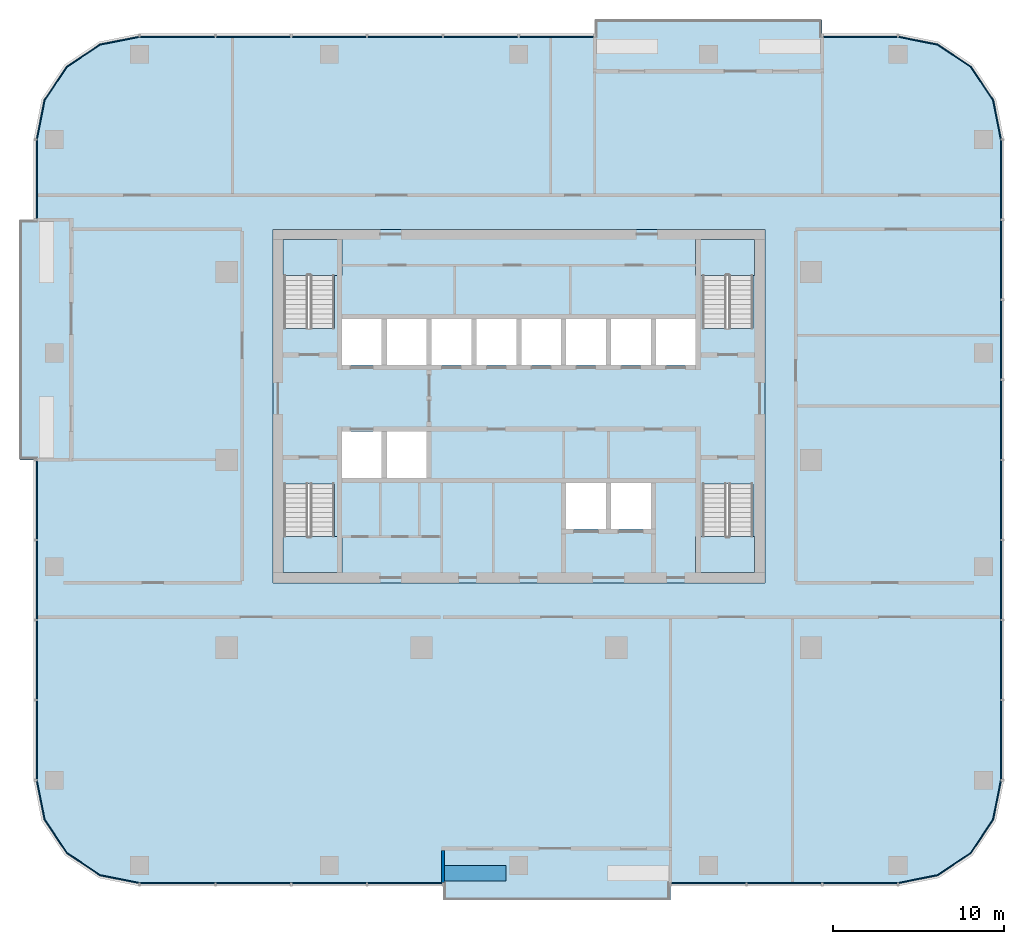
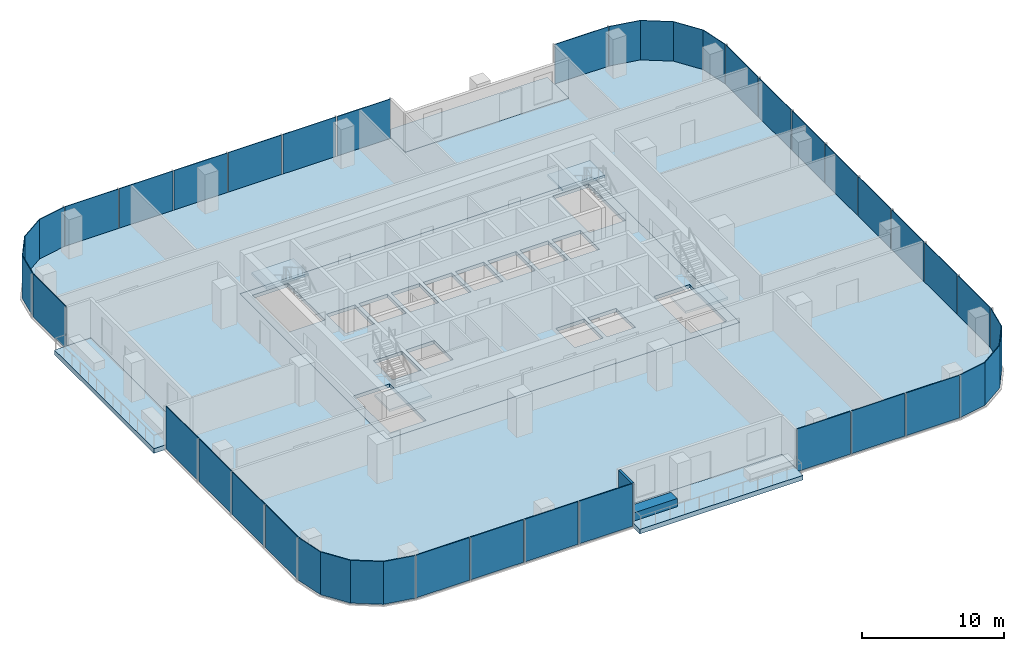
# One storey, part 6 of 14: 31 plates, 9 slabs, 2 walls, 15 elements without a shape of their own.
"""IFC4 building model written with IfcOpenShell, lengths in metres."""

from ifc_helpers import new_model, si_unit, direction, frame, frame_2d, origin, origin_2d, place, context, subcontext, project, spatial, polyline, rectangle, outline, extrude, material, layer, layer_set, type_object, element, aggregate, save


model = new_model("IFC4")

# Units and contexts
model_context = context("Model", 3, precision=1e-05, world=origin(), true_north=direction((0.0, 1.0)))
body_context = subcontext(model_context, "Body", "Model", "MODEL_VIEW")
ifc_project = project(units=[si_unit("LENGTHUNIT", "METRE"), si_unit("AREAUNIT", "SQUARE_METRE"), si_unit("VOLUMEUNIT", "CUBIC_METRE"), si_unit("PLANEANGLEUNIT", "RADIAN"), si_unit("MASSUNIT", "GRAM", prefix="KILO")], contexts=[model_context])

# Site, building, storey
site_placement = place(None, origin())
site = spatial("IfcSite", under=ifc_project, at=site_placement, CompositionType="ELEMENT")
building_placement = place(site_placement, origin())
building = spatial("IfcBuilding", under=site, at=building_placement, Name="Mopane Tessera Tower", CompositionType="ELEMENT")
storey_placement = place(building_placement, frame((0.0, 0.0, 255.0)))
storey = spatial("IfcBuildingStorey", under=building, at=storey_placement, Name="L55", CompositionType="ELEMENT", Elevation=255.0)

# Slab
ifc_material_1 = material(Name="Concrete C40/50", Category="concrete")
ifc_layer_1 = layer(ifc_material_1, 0.300048828125)
ifc_layer_set_1 = layer_set([ifc_layer_1], Name="Concrete C40/50")
slab_type_1 = type_object("IfcSlabType", Name="Core floor slab 300 mm", PredefinedType="FLOOR", material=ifc_layer_set_1)
slab_1_placement = place(storey_placement, frame((0.0, 0.0, -0.300048828125)))
element("IfcSlab", 1, at=slab_1_placement, inside=storey, type_object=slab_type_1, Name="L55 core floor slab", PredefinedType="FLOOR", context=body_context, shape_type="SweptSolid", body=[
    extrude(outline(polyline([(-14.39990234375, -7.199951171875), (14.39990234375, -7.199951171875), (14.39990234375, 13.5), (-14.39990234375, 13.5), (-14.39990234375, -7.199951171875)]), holes=[polyline([(-10.35009765625, -1.050048828125), (-8.02490234375, -1.050048828125), (-8.02490234375, 1.64990234375), (-10.35009765625, 1.64990234375), (-10.35009765625, -1.050048828125)]), polyline([(-7.72509765625, -1.050048828125), (-5.39990234375, -1.050048828125), (-5.39990234375, 1.64990234375), (-7.72509765625, 1.64990234375), (-7.72509765625, -1.050048828125)]), polyline([(-10.35009765625, 5.550048828125), (-8.02490234375, 5.550048828125), (-8.02490234375, 8.25), (-10.35009765625, 8.25), (-10.35009765625, 5.550048828125)]), polyline([(-7.72509765625, 5.550048828125), (-5.39990234375, 5.550048828125), (-5.39990234375, 8.25), (-7.72509765625, 8.25), (-7.72509765625, 5.550048828125)]), polyline([(-5.10009765625, 5.550048828125), (-2.77490234375, 5.550048828125), (-2.77490234375, 8.25), (-5.10009765625, 8.25), (-5.10009765625, 5.550048828125)]), polyline([(-2.47509765625, 5.550048828125), (-0.14990234375, 5.550048828125), (-0.14990234375, 8.25), (-2.47509765625, 8.25), (-2.47509765625, 5.550048828125)]), polyline([(0.14990234375, 5.550048828125), (2.47509765625, 5.550048828125), (2.47509765625, 8.25), (0.14990234375, 8.25), (0.14990234375, 5.550048828125)]), polyline([(2.77490234375, 5.550048828125), (5.10009765625, 5.550048828125), (5.10009765625, 8.25), (2.77490234375, 8.25), (2.77490234375, 5.550048828125)]), polyline([(5.39990234375, 5.550048828125), (7.72509765625, 5.550048828125), (7.72509765625, 8.25), (5.39990234375, 8.25), (5.39990234375, 5.550048828125)]), polyline([(8.02490234375, 5.550048828125), (10.35009765625, 5.550048828125), (10.35009765625, 8.25), (8.02490234375, 8.25), (8.02490234375, 5.550048828125)]), polyline([(2.77490234375, -4.050048828125), (5.10009765625, -4.050048828125), (5.10009765625, -1.35009765625), (2.77490234375, -1.35009765625), (2.77490234375, -4.050048828125)]), polyline([(5.39990234375, -4.050048828125), (7.72509765625, -4.050048828125), (7.72509765625, -1.35009765625), (5.39990234375, -1.35009765625), (5.39990234375, -4.050048828125)]), polyline([(-13.75, -1.405029296875), (-13.75, -6.60009765625), (-10.800048828125, -6.60009765625), (-10.800048828125, -1.405029296875), (-13.75, -1.405029296875)]), polyline([(-10.800048828125, 7.705078125), (-10.800048828125, 12.89990234375), (-13.75, 12.89990234375), (-13.75, 7.705078125), (-10.800048828125, 7.705078125)]), polyline([(10.75, -1.405029296875), (10.75, -6.60009765625), (13.699951171875, -6.60009765625), (13.699951171875, -1.405029296875), (10.75, -1.405029296875)]), polyline([(13.699951171875, 7.705078125), (13.699951171875, 12.89990234375), (10.75, 12.89990234375), (10.75, 7.705078125), (13.699951171875, 7.705078125)])]), origin(), (0.0, 0.0, 1.0), 0.300048828125),
])

# Stair, slab
ifc_material_2 = material(Name="Concrete C50/60", Category="concrete")
stair_type = type_object("IfcStairType", Name="Escape stair 1400 mm, riser 167 mm", PredefinedType="HALF_TURN_STAIR", material=ifc_material_2)
stair_1_placement = place(storey_placement, origin())
stair_1 = element("IfcStair", 2, at=stair_1_placement, inside=storey, type_object=stair_type, Name="L55 Escape stair south-west", PredefinedType="HALF_TURN_STAIR")
ifc_material_3 = material(Name="Concrete C50/60", Category="concrete")
ifc_layer_2 = layer(ifc_material_3, 0.199951171875)
ifc_layer_set_2 = layer_set([ifc_layer_2], Name="Concrete C50/60")
slab_type_2 = type_object("IfcSlabType", Name="Escape stair landing 200 mm", PredefinedType="LANDING", material=ifc_layer_set_2)
slab_2_placement = place(storey_placement, frame((0.0, 0.0, 1.800048828125)))
slab_2 = element("IfcSlab", 3, at=slab_2_placement, type_object=slab_type_2, Name="ST1 landing 1", PredefinedType="LANDING", context=body_context, shape_type="SweptSolid", body=[
    extrude(outline(polyline([(-13.800048828125, -4.47998046875), (-13.800048828125, -6.60009765625), (-10.35009765625, -6.60009765625), (-10.35009765625, -4.47998046875), (-13.800048828125, -4.47998046875)])), origin(), (0.0, 0.0, 1.0), 0.199951171875),
])
aggregate(stair_1, [slab_2])

stair_2_placement = place(storey_placement, origin())
stair_2 = element("IfcStair", 4, at=stair_2_placement, inside=storey, type_object=stair_type, Name="L55 Escape stair north-west", PredefinedType="HALF_TURN_STAIR")
slab_3_placement = place(storey_placement, frame((0.0, 0.0, 1.800048828125)))
slab_3 = element("IfcSlab", 5, at=slab_3_placement, type_object=slab_type_2, Name="ST2 landing 1", PredefinedType="LANDING", context=body_context, shape_type="SweptSolid", body=[
    extrude(outline(polyline([(-10.35009765625, 10.780029296875), (-10.35009765625, 12.89990234375), (-13.800048828125, 12.89990234375), (-13.800048828125, 10.780029296875), (-10.35009765625, 10.780029296875)])), origin(), (0.0, 0.0, 1.0), 0.199951171875),
])
aggregate(stair_2, [slab_3])

stair_3_placement = place(storey_placement, origin())
stair_3 = element("IfcStair", 6, at=stair_3_placement, inside=storey, type_object=stair_type, Name="L55 Escape stair south-east", PredefinedType="HALF_TURN_STAIR")
slab_4_placement = place(storey_placement, frame((0.0, 0.0, 1.800048828125)))
slab_4 = element("IfcSlab", 7, at=slab_4_placement, type_object=slab_type_2, Name="ST3 landing 1", PredefinedType="LANDING", context=body_context, shape_type="SweptSolid", body=[
    extrude(outline(polyline([(10.35009765625, -4.47998046875), (10.35009765625, -6.60009765625), (13.800048828125, -6.60009765625), (13.800048828125, -4.47998046875), (10.35009765625, -4.47998046875)])), origin(), (0.0, 0.0, 1.0), 0.199951171875),
])
aggregate(stair_3, [slab_4])

stair_4_placement = place(storey_placement, origin())
stair_4 = element("IfcStair", 8, at=stair_4_placement, inside=storey, type_object=stair_type, Name="L55 Escape stair north-east", PredefinedType="HALF_TURN_STAIR")
slab_5_placement = place(storey_placement, frame((0.0, 0.0, 1.800048828125)))
slab_5 = element("IfcSlab", 9, at=slab_5_placement, type_object=slab_type_2, Name="ST4 landing 1", PredefinedType="LANDING", context=body_context, shape_type="SweptSolid", body=[
    extrude(outline(polyline([(13.800048828125, 10.780029296875), (13.800048828125, 12.89990234375), (10.35009765625, 12.89990234375), (10.35009765625, 10.780029296875), (13.800048828125, 10.780029296875)])), origin(), (0.0, 0.0, 1.0), 0.199951171875),
])
aggregate(stair_4, [slab_5])

# Slabs
ifc_material_4 = material(Name="Concrete C40/50", Category="concrete")
ifc_layer_3 = layer(ifc_material_4, 0.39990234375)
ifc_layer_set_3 = layer_set([ifc_layer_3], Name="Concrete C40/50")
slab_type_3 = type_object("IfcSlabType", Name="Planted terrace slab 400 mm", PredefinedType="FLOOR", material=ifc_layer_set_3)
slab_6_placement = place(storey_placement, frame((0.0, 0.0, -0.39990234375)))
element("IfcSlab", 10, at=slab_6_placement, inside=storey, type_object=slab_type_3, Name="Terrace slab N1 L55", PredefinedType="FLOOR", context=body_context, shape_type="SweptSolid", body=[
    extrude(outline(polyline([(8.8798828125, -25.75), (8.8798828125, -22.75), (-4.43994140625, -22.75), (-4.43994140625, -25.75), (8.8798828125, -25.75)])), origin(), (0.0, 0.0, 1.0), 0.39990234375),
])
slab_7_placement = place(storey_placement, frame((0.0, 0.0, -0.39990234375)))
element("IfcSlab", 11, at=slab_7_placement, inside=storey, type_object=slab_type_3, Name="Terrace slab N2 L55", PredefinedType="FLOOR", context=body_context, shape_type="SweptSolid", body=[
    extrude(outline(polyline([(4.43994140625, 25.75), (4.43994140625, 22.75), (17.760009765625, 22.75), (17.760009765625, 25.75), (4.43994140625, 25.75)])), origin(), (0.0, 0.0, 1.0), 0.39990234375),
])
slab_8_placement = place(storey_placement, frame((0.0, 0.0, -0.39990234375)))
element("IfcSlab", 12, at=slab_8_placement, inside=storey, type_object=slab_type_3, Name="Terrace slab N3 L55", PredefinedType="FLOOR", context=body_context, shape_type="SweptSolid", body=[
    extrude(outline(polyline([(-29.199951171875, 0.0), (-26.199951171875, 0.0), (-26.199951171875, 14.0625), (-29.199951171875, 14.0625), (-29.199951171875, 0.0)])), origin(), (0.0, 0.0, 1.0), 0.39990234375),
])
ifc_material_5 = material(Name="Concrete C40/50", Category="concrete")
ifc_layer_4 = layer(ifc_material_5, 0.39990234375)
ifc_layer_set_4 = layer_set([ifc_layer_4], Name="Concrete C40/50")
slab_type_4 = type_object("IfcSlabType", Name="Post-tensioned flat plate 400 mm", PredefinedType="FLOOR", material=ifc_layer_set_4)
slab_9_placement = place(storey_placement, frame((0.0, 0.0, -0.39990234375)))
element("IfcSlab", 13, at=slab_9_placement, inside=storey, type_object=slab_type_4, Name="Floor slab L55", PredefinedType="FLOOR", context=body_context, shape_type="SweptSolid", body=[
    extrude(outline(polyline([(-22.199951171875, -24.75), (-4.43994140625, -24.75), (-4.43994140625, -22.75), (8.8798828125, -22.75), (8.8798828125, -24.75), (22.199951171875, -24.75), (24.49609375, -24.293212890625), (26.442626953125, -22.99267578125), (27.7431640625, -21.046142578125), (28.199951171875, -18.75), (28.199951171875, 18.75), (27.7431640625, 21.046142578125), (26.442626953125, 22.99267578125), (24.49609375, 24.293212890625), (22.199951171875, 24.75), (17.760009765625, 24.75), (17.760009765625, 22.75), (4.43994140625, 22.75), (4.43994140625, 24.75), (-22.199951171875, 24.75), (-24.49609375, 24.293212890625), (-26.442626953125, 22.99267578125), (-27.7431640625, 21.046142578125), (-28.199951171875, 18.75), (-28.199951171875, 14.0625), (-26.199951171875, 14.0625), (-26.199951171875, 0.0), (-28.199951171875, 0.0), (-28.199951171875, -18.75), (-27.7431640625, -21.046142578125), (-26.442626953125, -22.99267578125), (-24.49609375, -24.293212890625), (-22.199951171875, -24.75)]), holes=[polyline([(14.39990234375, -7.199951171875), (-14.39990234375, -7.199951171875), (-14.39990234375, 13.5), (14.39990234375, 13.5), (14.39990234375, -7.199951171875)])]), origin(), (0.0, 0.0, 1.0), 0.39990234375),
])

# Curtain wall, plates
ifc_material_6 = material(Name="Aluminium frame", Category="aluminium")
curtain_wall_type = type_object("IfcCurtainWallType", Name="Unitised curtain wall", PredefinedType="NOTDEFINED", material=ifc_material_6)
curtain_wall_1_placement = place(storey_placement, origin())
curtain_wall_1 = element("IfcCurtainWall", 14, at=curtain_wall_1_placement, inside=storey, type_object=curtain_wall_type, Name="e:cw:L55:S:0", PredefinedType="NOTDEFINED")
ifc_material_7 = material(Name="Clear laminated glass", Category="glass")
ifc_layer_5 = layer(ifc_material_7, 0.06005859375)
ifc_layer_set_5 = layer_set([ifc_layer_5], Name="Clear laminated glass")
plate_type = type_object("IfcPlateType", Name="Unitised glazed unit", PredefinedType="CURTAIN_PANEL", material=ifc_layer_set_5)
plate_1_placement = place(storey_placement, frame((-19.97998046875, -24.780029296875, -0.27978515625), z_axis=(0.0, 0.0, 1.0), x_axis=(1.0, 0.0, 0.0)))
plate_1 = element("IfcPlate", 15, at=plate_1_placement, type_object=plate_type, Name="e:cw:L55:S:0:pn0", PredefinedType="CURTAIN_PANEL", context=body_context, shape_type="SweptSolid", body=[
    extrude(rectangle(XDim=4.340087890625, YDim=0.06005859375, at=origin_2d()), origin(), (0.0, 0.0, 1.0), 3.679931640625),
])
plate_2_placement = place(storey_placement, frame((-15.5400390625, -24.780029296875, -0.27978515625), z_axis=(0.0, 0.0, 1.0), x_axis=(1.0, 0.0, 0.0)))
plate_2 = element("IfcPlate", 16, at=plate_2_placement, type_object=plate_type, Name="e:cw:L55:S:0:pn1", PredefinedType="CURTAIN_PANEL", context=body_context, shape_type="SweptSolid", body=[
    extrude(rectangle(XDim=4.340087890625, YDim=0.06005859375, at=origin_2d()), origin(), (0.0, 0.0, 1.0), 3.679931640625),
])
plate_3_placement = place(storey_placement, frame((-11.10009765625, -24.780029296875, -0.27978515625), z_axis=(0.0, 0.0, 1.0), x_axis=(1.0, 0.0, 0.0)))
plate_3 = element("IfcPlate", 17, at=plate_3_placement, type_object=plate_type, Name="e:cw:L55:S:0:pn2", PredefinedType="CURTAIN_PANEL", context=body_context, shape_type="SweptSolid", body=[
    extrude(rectangle(XDim=4.340087890625, YDim=0.06005859375, at=origin_2d()), origin(), (0.0, 0.0, 1.0), 3.679931640625),
])
plate_4_placement = place(storey_placement, frame((-6.659912109375, -24.780029296875, -0.27978515625), z_axis=(0.0, 0.0, 1.0), x_axis=(1.0, 0.0, 0.0)))
plate_4 = element("IfcPlate", 18, at=plate_4_placement, type_object=plate_type, Name="e:cw:L55:S:0:pn3", PredefinedType="CURTAIN_PANEL", context=body_context, shape_type="SweptSolid", body=[
    extrude(rectangle(XDim=4.340087890625, YDim=0.06005859375, at=origin_2d()), origin(), (0.0, 0.0, 1.0), 3.679931640625),
])
aggregate(curtain_wall_1, [plate_1, plate_2, plate_3, plate_4])

curtain_wall_2_placement = place(storey_placement, origin())
curtain_wall_2 = element("IfcCurtainWall", 19, at=curtain_wall_2_placement, inside=storey, type_object=curtain_wall_type, Name="e:cw:L55:S:7", PredefinedType="NOTDEFINED")
plate_5_placement = place(storey_placement, frame((11.10009765625, -24.780029296875, -0.27978515625), z_axis=(0.0, 0.0, 1.0), x_axis=(1.0, 0.0, 0.0)))
plate_5 = element("IfcPlate", 20, at=plate_5_placement, type_object=plate_type, Name="e:cw:L55:S:7:pn7", PredefinedType="CURTAIN_PANEL", context=body_context, shape_type="SweptSolid", body=[
    extrude(rectangle(XDim=4.340087890625, YDim=0.06005859375, at=origin_2d()), origin(), (0.0, 0.0, 1.0), 3.679931640625),
])
plate_6_placement = place(storey_placement, frame((15.5400390625, -24.780029296875, -0.27978515625), z_axis=(0.0, 0.0, 1.0), x_axis=(1.0, 0.0, 0.0)))
plate_6 = element("IfcPlate", 21, at=plate_6_placement, type_object=plate_type, Name="e:cw:L55:S:7:pn8", PredefinedType="CURTAIN_PANEL", context=body_context, shape_type="SweptSolid", body=[
    extrude(rectangle(XDim=4.340087890625, YDim=0.06005859375, at=origin_2d()), origin(), (0.0, 0.0, 1.0), 3.679931640625),
])
plate_7_placement = place(storey_placement, frame((19.97998046875, -24.780029296875, -0.27978515625), z_axis=(0.0, 0.0, 1.0), x_axis=(1.0, 0.0, 0.0)))
plate_7 = element("IfcPlate", 22, at=plate_7_placement, type_object=plate_type, Name="e:cw:L55:S:7:pn9", PredefinedType="CURTAIN_PANEL", context=body_context, shape_type="SweptSolid", body=[
    extrude(rectangle(XDim=4.340087890625, YDim=0.06005859375, at=origin_2d()), origin(), (0.0, 0.0, 1.0), 3.679931640625),
])
aggregate(curtain_wall_2, [plate_5, plate_6, plate_7])

# Curtain wall, plate
curtain_wall_3_placement = place(storey_placement, origin())
curtain_wall_3 = element("IfcCurtainWall", 23, at=curtain_wall_3_placement, inside=storey, type_object=curtain_wall_type, Name="e:cw:L55:CS", PredefinedType="NOTDEFINED")
plate_8_placement = place(storey_placement, frame((0.0, 0.0, -0.280029296875)))
plate_8 = element("IfcPlate", 24, at=plate_8_placement, type_object=plate_type, Name="e:cw:L55:CS:pn", PredefinedType="CURTAIN_PANEL", context=body_context, shape_type="SweptSolid", body=[
    extrude(outline(polyline([(22.199951171875, -24.75), (24.49609375, -24.293212890625), (26.442626953125, -22.99267578125), (27.7431640625, -21.046142578125), (28.199951171875, -18.75), (28.260009765625, -18.75), (27.798828125, -21.069091796875), (26.485107421875, -23.03515625), (24.51904296875, -24.3486328125), (22.199951171875, -24.81005859375), (22.199951171875, -24.75)])), origin(), (0.0, 0.0, 1.0), 3.679931640625),
])
aggregate(curtain_wall_3, [plate_8])

# Curtain wall, plates
curtain_wall_4_placement = place(storey_placement, origin())
curtain_wall_4 = element("IfcCurtainWall", 25, at=curtain_wall_4_placement, inside=storey, type_object=curtain_wall_type, Name="e:cw:L55:E:0", PredefinedType="NOTDEFINED")
plate_9_placement = place(storey_placement, frame((28.22998046875, -16.40625, -0.27978515625), z_axis=(0.0, 0.0, 1.0), x_axis=(0.0, 1.0, 0.0)))
plate_9 = element("IfcPlate", 26, at=plate_9_placement, type_object=plate_type, Name="e:cw:L55:E:0:pn0", PredefinedType="CURTAIN_PANEL", context=body_context, shape_type="SweptSolid", body=[
    extrude(rectangle(XDim=4.58740234375, YDim=0.06005859375, at=origin_2d()), origin(), (0.0, 0.0, 1.0), 3.679931640625),
])
plate_10_placement = place(storey_placement, frame((28.22998046875, -11.71875, -0.27978515625), z_axis=(0.0, 0.0, 1.0), x_axis=(0.0, 1.0, 0.0)))
plate_10 = element("IfcPlate", 27, at=plate_10_placement, type_object=plate_type, Name="e:cw:L55:E:0:pn1", PredefinedType="CURTAIN_PANEL", context=body_context, shape_type="SweptSolid", body=[
    extrude(rectangle(XDim=4.58740234375, YDim=0.06005859375, at=origin_2d()), origin(), (0.0, 0.0, 1.0), 3.679931640625),
])
plate_11_placement = place(storey_placement, frame((28.22998046875, -7.03125, -0.27978515625), z_axis=(0.0, 0.0, 1.0), x_axis=(0.0, 1.0, 0.0)))
plate_11 = element("IfcPlate", 28, at=plate_11_placement, type_object=plate_type, Name="e:cw:L55:E:0:pn2", PredefinedType="CURTAIN_PANEL", context=body_context, shape_type="SweptSolid", body=[
    extrude(rectangle(XDim=4.58740234375, YDim=0.06005859375, at=origin_2d()), origin(), (0.0, 0.0, 1.0), 3.679931640625),
])
plate_12_placement = place(storey_placement, frame((28.22998046875, -2.34375, -0.27978515625), z_axis=(0.0, 0.0, 1.0), x_axis=(0.0, 1.0, 0.0)))
plate_12 = element("IfcPlate", 29, at=plate_12_placement, type_object=plate_type, Name="e:cw:L55:E:0:pn3", PredefinedType="CURTAIN_PANEL", context=body_context, shape_type="SweptSolid", body=[
    extrude(rectangle(XDim=4.58740234375, YDim=0.06005859375, at=origin_2d()), origin(), (0.0, 0.0, 1.0), 3.679931640625),
])
plate_13_placement = place(storey_placement, frame((28.22998046875, 2.34375, -0.27978515625), z_axis=(0.0, 0.0, 1.0), x_axis=(0.0, 1.0, 0.0)))
plate_13 = element("IfcPlate", 30, at=plate_13_placement, type_object=plate_type, Name="e:cw:L55:E:0:pn4", PredefinedType="CURTAIN_PANEL", context=body_context, shape_type="SweptSolid", body=[
    extrude(rectangle(XDim=4.58740234375, YDim=0.06005859375, at=origin_2d()), origin(), (0.0, 0.0, 1.0), 3.679931640625),
])
plate_14_placement = place(storey_placement, frame((28.22998046875, 7.03125, -0.27978515625), z_axis=(0.0, 0.0, 1.0), x_axis=(0.0, 1.0, 0.0)))
plate_14 = element("IfcPlate", 31, at=plate_14_placement, type_object=plate_type, Name="e:cw:L55:E:0:pn5", PredefinedType="CURTAIN_PANEL", context=body_context, shape_type="SweptSolid", body=[
    extrude(rectangle(XDim=4.58740234375, YDim=0.06005859375, at=origin_2d()), origin(), (0.0, 0.0, 1.0), 3.679931640625),
])
plate_15_placement = place(storey_placement, frame((28.22998046875, 11.71875, -0.27978515625), z_axis=(0.0, 0.0, 1.0), x_axis=(0.0, 1.0, 0.0)))
plate_15 = element("IfcPlate", 32, at=plate_15_placement, type_object=plate_type, Name="e:cw:L55:E:0:pn6", PredefinedType="CURTAIN_PANEL", context=body_context, shape_type="SweptSolid", body=[
    extrude(rectangle(XDim=4.58740234375, YDim=0.06005859375, at=origin_2d()), origin(), (0.0, 0.0, 1.0), 3.679931640625),
])
plate_16_placement = place(storey_placement, frame((28.22998046875, 16.40625, -0.27978515625), z_axis=(0.0, 0.0, 1.0), x_axis=(0.0, 1.0, 0.0)))
plate_16 = element("IfcPlate", 33, at=plate_16_placement, type_object=plate_type, Name="e:cw:L55:E:0:pn7", PredefinedType="CURTAIN_PANEL", context=body_context, shape_type="SweptSolid", body=[
    extrude(rectangle(XDim=4.58740234375, YDim=0.06005859375, at=origin_2d()), origin(), (0.0, 0.0, 1.0), 3.679931640625),
])
aggregate(curtain_wall_4, [plate_9, plate_10, plate_11, plate_12, plate_13, plate_14, plate_15, plate_16])

# Curtain wall, plate
curtain_wall_5_placement = place(storey_placement, origin())
curtain_wall_5 = element("IfcCurtainWall", 34, at=curtain_wall_5_placement, inside=storey, type_object=curtain_wall_type, Name="e:cw:L55:CE", PredefinedType="NOTDEFINED")
plate_17_placement = place(storey_placement, frame((0.0, 0.0, -0.280029296875)))
plate_17 = element("IfcPlate", 35, at=plate_17_placement, type_object=plate_type, Name="e:cw:L55:CE:pn", PredefinedType="CURTAIN_PANEL", context=body_context, shape_type="SweptSolid", body=[
    extrude(outline(polyline([(28.199951171875, 18.75), (27.7431640625, 21.046142578125), (26.442626953125, 22.99267578125), (24.49609375, 24.293212890625), (22.199951171875, 24.75), (22.199951171875, 24.81005859375), (24.51904296875, 24.3486328125), (26.485107421875, 23.03515625), (27.798828125, 21.069091796875), (28.260009765625, 18.75), (28.199951171875, 18.75)])), origin(), (0.0, 0.0, 1.0), 3.679931640625),
])
aggregate(curtain_wall_5, [plate_17])

curtain_wall_6_placement = place(storey_placement, origin())
curtain_wall_6 = element("IfcCurtainWall", 36, at=curtain_wall_6_placement, inside=storey, type_object=curtain_wall_type, Name="e:cw:L55:N:0", PredefinedType="NOTDEFINED")
plate_18_placement = place(storey_placement, frame((19.97998046875, 24.780029296875, -0.27978515625), z_axis=(0.0, 0.0, 1.0), x_axis=(-1.0, 0.0, 0.0)))
plate_18 = element("IfcPlate", 37, at=plate_18_placement, type_object=plate_type, Name="e:cw:L55:N:0:pn0", PredefinedType="CURTAIN_PANEL", context=body_context, shape_type="SweptSolid", body=[
    extrude(rectangle(XDim=4.340087890625, YDim=0.06005859375, at=origin_2d()), origin(), (0.0, 0.0, 1.0), 3.679931640625),
])
aggregate(curtain_wall_6, [plate_18])

# Curtain wall, plates
curtain_wall_7_placement = place(storey_placement, origin())
curtain_wall_7 = element("IfcCurtainWall", 38, at=curtain_wall_7_placement, inside=storey, type_object=curtain_wall_type, Name="e:cw:L55:N:4", PredefinedType="NOTDEFINED")
plate_19_placement = place(storey_placement, frame((2.219970703125, 24.780029296875, -0.27978515625), z_axis=(0.0, 0.0, 1.0), x_axis=(-1.0, 0.0, 0.0)))
plate_19 = element("IfcPlate", 39, at=plate_19_placement, type_object=plate_type, Name="e:cw:L55:N:4:pn4", PredefinedType="CURTAIN_PANEL", context=body_context, shape_type="SweptSolid", body=[
    extrude(rectangle(XDim=4.340087890625, YDim=0.06005859375, at=origin_2d()), origin(), (0.0, 0.0, 1.0), 3.679931640625),
])
plate_20_placement = place(storey_placement, frame((-2.219970703125, 24.780029296875, -0.27978515625), z_axis=(0.0, 0.0, 1.0), x_axis=(-1.0, 0.0, 0.0)))
plate_20 = element("IfcPlate", 40, at=plate_20_placement, type_object=plate_type, Name="e:cw:L55:N:4:pn5", PredefinedType="CURTAIN_PANEL", context=body_context, shape_type="SweptSolid", body=[
    extrude(rectangle(XDim=4.340087890625, YDim=0.06005859375, at=origin_2d()), origin(), (0.0, 0.0, 1.0), 3.679931640625),
])
plate_21_placement = place(storey_placement, frame((-6.659912109375, 24.780029296875, -0.27978515625), z_axis=(0.0, 0.0, 1.0), x_axis=(-1.0, 0.0, 0.0)))
plate_21 = element("IfcPlate", 41, at=plate_21_placement, type_object=plate_type, Name="e:cw:L55:N:4:pn6", PredefinedType="CURTAIN_PANEL", context=body_context, shape_type="SweptSolid", body=[
    extrude(rectangle(XDim=4.340087890625, YDim=0.06005859375, at=origin_2d()), origin(), (0.0, 0.0, 1.0), 3.679931640625),
])
plate_22_placement = place(storey_placement, frame((-11.10009765625, 24.780029296875, -0.27978515625), z_axis=(0.0, 0.0, 1.0), x_axis=(-1.0, 0.0, 0.0)))
plate_22 = element("IfcPlate", 42, at=plate_22_placement, type_object=plate_type, Name="e:cw:L55:N:4:pn7", PredefinedType="CURTAIN_PANEL", context=body_context, shape_type="SweptSolid", body=[
    extrude(rectangle(XDim=4.340087890625, YDim=0.06005859375, at=origin_2d()), origin(), (0.0, 0.0, 1.0), 3.679931640625),
])
plate_23_placement = place(storey_placement, frame((-15.5400390625, 24.780029296875, -0.27978515625), z_axis=(0.0, 0.0, 1.0), x_axis=(-1.0, 0.0, 0.0)))
plate_23 = element("IfcPlate", 43, at=plate_23_placement, type_object=plate_type, Name="e:cw:L55:N:4:pn8", PredefinedType="CURTAIN_PANEL", context=body_context, shape_type="SweptSolid", body=[
    extrude(rectangle(XDim=4.340087890625, YDim=0.06005859375, at=origin_2d()), origin(), (0.0, 0.0, 1.0), 3.679931640625),
])
plate_24_placement = place(storey_placement, frame((-19.97998046875, 24.780029296875, -0.27978515625), z_axis=(0.0, 0.0, 1.0), x_axis=(-1.0, 0.0, 0.0)))
plate_24 = element("IfcPlate", 44, at=plate_24_placement, type_object=plate_type, Name="e:cw:L55:N:4:pn9", PredefinedType="CURTAIN_PANEL", context=body_context, shape_type="SweptSolid", body=[
    extrude(rectangle(XDim=4.340087890625, YDim=0.06005859375, at=origin_2d()), origin(), (0.0, 0.0, 1.0), 3.679931640625),
])
aggregate(curtain_wall_7, [plate_19, plate_20, plate_21, plate_22, plate_23, plate_24])

# Curtain wall, plate
curtain_wall_8_placement = place(storey_placement, origin())
curtain_wall_8 = element("IfcCurtainWall", 45, at=curtain_wall_8_placement, inside=storey, type_object=curtain_wall_type, Name="e:cw:L55:CN", PredefinedType="NOTDEFINED")
plate_25_placement = place(storey_placement, frame((0.0, 0.0, -0.280029296875)))
plate_25 = element("IfcPlate", 46, at=plate_25_placement, type_object=plate_type, Name="e:cw:L55:CN:pn", PredefinedType="CURTAIN_PANEL", context=body_context, shape_type="SweptSolid", body=[
    extrude(outline(polyline([(-22.199951171875, 24.75), (-24.49609375, 24.293212890625), (-26.442626953125, 22.99267578125), (-27.7431640625, 21.046142578125), (-28.199951171875, 18.75), (-28.260009765625, 18.75), (-27.798828125, 21.069091796875), (-26.485107421875, 23.03515625), (-24.51904296875, 24.3486328125), (-22.199951171875, 24.81005859375), (-22.199951171875, 24.75)])), origin(), (0.0, 0.0, 1.0), 3.679931640625),
])
aggregate(curtain_wall_8, [plate_25])

curtain_wall_9_placement = place(storey_placement, origin())
curtain_wall_9 = element("IfcCurtainWall", 47, at=curtain_wall_9_placement, inside=storey, type_object=curtain_wall_type, Name="e:cw:L55:W:0", PredefinedType="NOTDEFINED")
plate_26_placement = place(storey_placement, frame((-28.22998046875, 16.40625, -0.27978515625), z_axis=(0.0, 0.0, 1.0), x_axis=(0.0, -1.0, 0.0)))
plate_26 = element("IfcPlate", 48, at=plate_26_placement, type_object=plate_type, Name="e:cw:L55:W:0:pn0", PredefinedType="CURTAIN_PANEL", context=body_context, shape_type="SweptSolid", body=[
    extrude(rectangle(XDim=4.58740234375, YDim=0.06005859375, at=origin_2d()), origin(), (0.0, 0.0, 1.0), 3.679931640625),
])
aggregate(curtain_wall_9, [plate_26])

# Curtain wall, plates
curtain_wall_10_placement = place(storey_placement, origin())
curtain_wall_10 = element("IfcCurtainWall", 49, at=curtain_wall_10_placement, inside=storey, type_object=curtain_wall_type, Name="e:cw:L55:W:4", PredefinedType="NOTDEFINED")
plate_27_placement = place(storey_placement, frame((-28.22998046875, -2.34375, -0.27978515625), z_axis=(0.0, 0.0, 1.0), x_axis=(0.0, -1.0, 0.0)))
plate_27 = element("IfcPlate", 50, at=plate_27_placement, type_object=plate_type, Name="e:cw:L55:W:4:pn4", PredefinedType="CURTAIN_PANEL", context=body_context, shape_type="SweptSolid", body=[
    extrude(rectangle(XDim=4.58740234375, YDim=0.06005859375, at=origin_2d()), origin(), (0.0, 0.0, 1.0), 3.679931640625),
])
plate_28_placement = place(storey_placement, frame((-28.22998046875, -7.03125, -0.27978515625), z_axis=(0.0, 0.0, 1.0), x_axis=(0.0, -1.0, 0.0)))
plate_28 = element("IfcPlate", 51, at=plate_28_placement, type_object=plate_type, Name="e:cw:L55:W:4:pn5", PredefinedType="CURTAIN_PANEL", context=body_context, shape_type="SweptSolid", body=[
    extrude(rectangle(XDim=4.58740234375, YDim=0.06005859375, at=origin_2d()), origin(), (0.0, 0.0, 1.0), 3.679931640625),
])
plate_29_placement = place(storey_placement, frame((-28.22998046875, -11.71875, -0.27978515625), z_axis=(0.0, 0.0, 1.0), x_axis=(0.0, -1.0, 0.0)))
plate_29 = element("IfcPlate", 52, at=plate_29_placement, type_object=plate_type, Name="e:cw:L55:W:4:pn6", PredefinedType="CURTAIN_PANEL", context=body_context, shape_type="SweptSolid", body=[
    extrude(rectangle(XDim=4.58740234375, YDim=0.06005859375, at=origin_2d()), origin(), (0.0, 0.0, 1.0), 3.679931640625),
])
plate_30_placement = place(storey_placement, frame((-28.22998046875, -16.40625, -0.27978515625), z_axis=(0.0, 0.0, 1.0), x_axis=(0.0, -1.0, 0.0)))
plate_30 = element("IfcPlate", 53, at=plate_30_placement, type_object=plate_type, Name="e:cw:L55:W:4:pn7", PredefinedType="CURTAIN_PANEL", context=body_context, shape_type="SweptSolid", body=[
    extrude(rectangle(XDim=4.58740234375, YDim=0.06005859375, at=origin_2d()), origin(), (0.0, 0.0, 1.0), 3.679931640625),
])
aggregate(curtain_wall_10, [plate_27, plate_28, plate_29, plate_30])

# Curtain wall, plate
curtain_wall_11_placement = place(storey_placement, origin())
curtain_wall_11 = element("IfcCurtainWall", 54, at=curtain_wall_11_placement, inside=storey, type_object=curtain_wall_type, Name="e:cw:L55:CW", PredefinedType="NOTDEFINED")
plate_31_placement = place(storey_placement, frame((0.0, 0.0, -0.280029296875)))
plate_31 = element("IfcPlate", 55, at=plate_31_placement, type_object=plate_type, Name="e:cw:L55:CW:pn", PredefinedType="CURTAIN_PANEL", context=body_context, shape_type="SweptSolid", body=[
    extrude(outline(polyline([(-28.199951171875, -18.75), (-27.7431640625, -21.046142578125), (-26.442626953125, -22.99267578125), (-24.49609375, -24.293212890625), (-22.199951171875, -24.75), (-22.199951171875, -24.81005859375), (-24.51904296875, -24.3486328125), (-26.485107421875, -23.03515625), (-27.798828125, -21.069091796875), (-28.260009765625, -18.75), (-28.199951171875, -18.75)])), origin(), (0.0, 0.0, 1.0), 3.679931640625),
])
aggregate(curtain_wall_11, [plate_31])

# Walls
ifc_material_8 = material(Name="Reinforced concrete C32/40 with waterproofing", Category="concrete")
ifc_layer_6 = layer(ifc_material_8, 0.89990234375)
ifc_layer_set_6 = layer_set([ifc_layer_6], Name="Reinforced concrete C32/40 with waterproofing")
wall_type_1 = type_object("IfcWallType", Name="Planter trough 3600 x 900", PredefinedType="STANDARD", material=ifc_layer_set_6)
wall_1_placement = place(storey_placement, frame((-4.340087890625, -24.199951171875, 0.0), z_axis=(0.0, 0.0, 1.0), x_axis=(1.0, 0.0, 0.0)))
element("IfcWall", 56, at=wall_1_placement, inside=storey, type_object=wall_type_1, Name="e:nw:L55:N1:pl0", PredefinedType="STANDARD", context=body_context, shape_type="SweptSolid", body=[
    extrude(rectangle(XDim=3.60009765625, YDim=0.89990234375, at=frame_2d((1.800048828125, 0.0))), origin(), (0.0, 0.0, 1.0), 0.699951171875),
])
ifc_material_9 = material(Name="Blockwork with glazed tile facing", Category="masonry")
ifc_layer_7 = layer(ifc_material_9, 0.199951171875)
ifc_layer_set_7 = layer_set([ifc_layer_7], Name="Blockwork with glazed tile facing")
wall_type_2 = type_object("IfcWallType", Name="Terrace cheek wall 200", PredefinedType="STANDARD", material=ifc_layer_set_7)
wall_2_placement = place(storey_placement, frame((-4.43994140625, -24.75, 0.0), z_axis=(0.0, 0.0, 1.0), x_axis=(0.0, 1.0, 0.0)))
element("IfcWall", 57, at=wall_2_placement, inside=storey, type_object=wall_type_2, Name="e:nw:L55:N1:cheeka", PredefinedType="STANDARD", context=body_context, shape_type="SweptSolid", body=[
    extrude(rectangle(XDim=1.875, YDim=0.199951171875, at=frame_2d((0.9375, 0.0))), origin(), (0.0, 0.0, 1.0), 3.39990234375),
])

save(model, "model.ifc")
